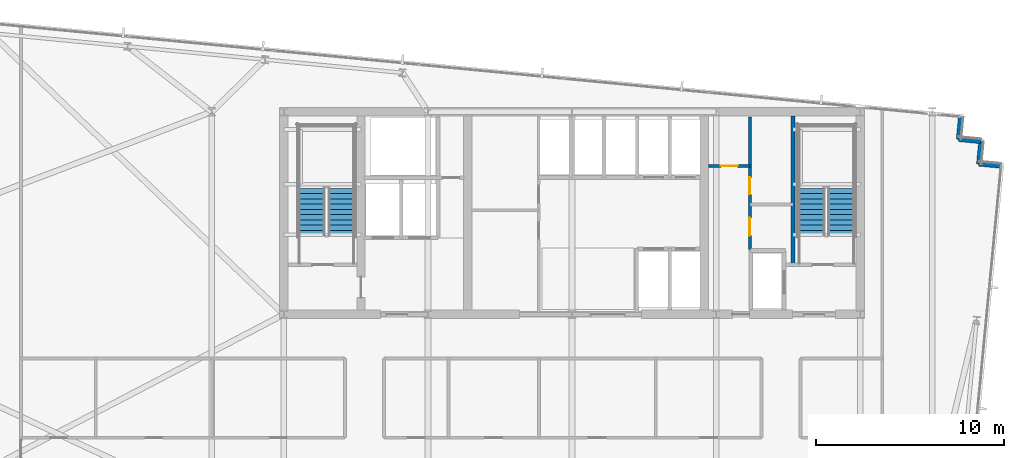
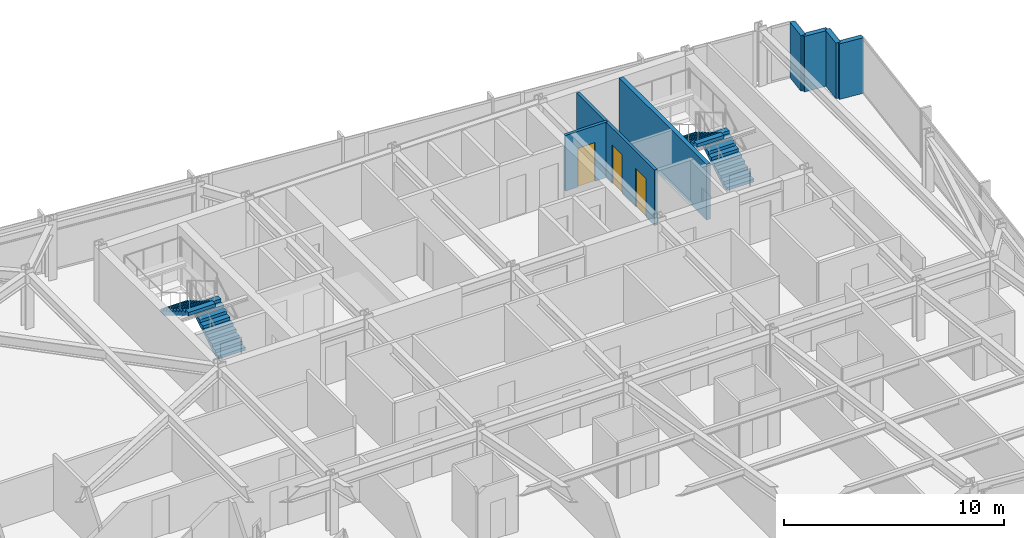
# One storey, part 32 of 38: 7 walls, 4 stair flights, 3 doors, 3 openings, 2 elements without a shape of their own.
"""IFC4 building model written with IfcOpenShell, lengths in metres."""

from ifc_helpers import new_model, si_unit, direction, frame, frame_2d, origin, place, context, subcontext, project, spatial, polyline, rectangle, outline, extrude, material, layer, layer_set, type_object, element, fill, aggregate, save


model = new_model("IFC4")

# Units and contexts
model_context = context("Model", 3, precision=1e-05, world=origin(), true_north=direction((0.0, 1.0)))
body_context = subcontext(model_context, "Body", "Model", "MODEL_VIEW")
ifc_project = project(units=[si_unit("LENGTHUNIT", "METRE"), si_unit("AREAUNIT", "SQUARE_METRE"), si_unit("VOLUMEUNIT", "CUBIC_METRE"), si_unit("PLANEANGLEUNIT", "RADIAN"), si_unit("MASSUNIT", "GRAM", prefix="KILO")], contexts=[model_context])

# Site, building, storey
site_placement = place(None, origin())
site = spatial("IfcSite", under=ifc_project, at=site_placement, CompositionType="ELEMENT")
building_placement = place(site_placement, origin())
building = spatial("IfcBuilding", under=site, at=building_placement, Name="Yelkora Congress Tower", CompositionType="ELEMENT")
storey_placement = place(building_placement, frame((0.0, 0.0, 172.10009765625)))
storey = spatial("IfcBuildingStorey", under=building, at=storey_placement, Name="L47", CompositionType="ELEMENT", Elevation=172.10009765625)

# Walls
ifc_material_1 = material(Name="Concrete C50/60", Category="concrete")
ifc_layer_1 = layer(ifc_material_1, 0.219970703125)
ifc_layer_set_1 = layer_set([ifc_layer_1], Name="Concrete C50/60")
wall_type_1 = type_object("IfcWallType", Name="WALL-CORE-INT-220", PredefinedType="SHEAR", material=ifc_layer_set_1)
wall_1_placement = place(storey_placement, frame((50.179931640625, 38.050048828125, 0.0), z_axis=(0.0, 0.0, 1.0), x_axis=(0.0, 1.0, 0.0)))
element("IfcWall", 1, at=wall_1_placement, inside=storey, type_object=wall_type_1, Name="L47 ST02 West Stair Shear Wall", PredefinedType="SHEAR", context=body_context, shape_type="SweptSolid", body=[
    extrude(rectangle(XDim=7.925048828125, YDim=0.219970703125, at=frame_2d((3.96240234375, 0.0))), origin(), (0.0, 0.0, 1.0), 3.079833984375),
])
ifc_material_2 = material(Name="Concrete C40/50", Category="concrete")
ifc_layer_2 = layer(ifc_material_2, 0.239990234375)
ifc_layer_set_2 = layer_set([ifc_layer_2], Name="Concrete C40/50")
wall_type_2 = type_object("IfcWallType", Name="WALL-EXT-LIMESTONE-240", PredefinedType="SOLIDWALL", material=ifc_layer_set_2)
for number, where, z_axis, x_axis, name in (
    (2, (59.108642578125, 45.923095703125, 0.0), (0.0, 0.0, 1.0), (-0.095817067274, -0.995398960025, 0.0), "L47 Serrated Corner Limestone Pier 11"),
    (3, (58.99365234375, 44.728515625, 0.0), (0.0, 0.0, 1.0), (0.995398960025, -0.095817067274, 0.0), "L47 Serrated Corner Limestone Pier 12"),
    (4, (60.188232421875, 44.613525390625, 0.0), (0.0, 0.0, 1.0), (-0.096018626938, -0.995379537303, 0.0), "L47 Serrated Corner Limestone Pier 13"),
    (5, (60.072998046875, 43.4189453125, 0.0), (0.0, 0.0, 1.0), (0.995398960025, -0.095817067274, 0.0), "L47 Serrated Corner Limestone Pier 14"),
):
    element("IfcWall", number, at=place(storey_placement, frame(where, z_axis=z_axis, x_axis=x_axis)), inside=storey, type_object=wall_type_2, Name=name, PredefinedType="SOLIDWALL", context=body_context, shape_type="SweptSolid", body=[
        extrude(rectangle(XDim=1.2001953125, YDim=0.239990234375, at=frame_2d((0.60009765625, 0.0))), origin(), (0.0, 0.0, 1.0), 3.079833984375),
    ])

# Wall, opening, door
ifc_material_3 = material(Name="Acoustic metal-stud gypsum partition", Category="gypsum")
ifc_layer_3 = layer(ifc_material_3, 0.14990234375)
ifc_layer_set_3 = layer_set([ifc_layer_3], Name="Acoustic metal-stud gypsum partition")
wall_type_3 = type_object("IfcWallType", Name="WALL-INT-150-NR", PredefinedType="PARTITIONING", material=ifc_layer_set_3)
wall_2_placement = place(storey_placement, frame((45.679931640625, 43.31005859375, 0.0), z_axis=(0.0, 0.0, 1.0), x_axis=(1.0, 0.0, 0.0)))
wall_2 = element("IfcWall", 6, at=wall_2_placement, inside=storey, type_object=wall_type_3, Name="L47 Partition Wall 24", PredefinedType="PARTITIONING", context=body_context, shape_type="SweptSolid", body=[
    extrude(rectangle(XDim=2.199951171875, YDim=0.14990234375, at=frame_2d((1.10009765625, 0.0))), origin(), (0.0, 0.0, 1.0), 3.079833984375),
])
opening_1_placement = place(wall_2_placement, frame((0.64990234375, 0.0, 0.0)))
opening_1 = element("IfcOpeningElement", 7, at=opening_1_placement, cuts=wall_2, Name="Opening DR-090N", PredefinedType="OPENING", context=body_context, shape_type="SweptSolid", body=[
    extrude(rectangle(XDim=0.89990234375, YDim=2.14990234375, at=frame_2d((0.449951171875, 1.074951171875))), frame((0.0, 0.0849609375, 0.0), z_axis=(0.0, -1.0, 0.0), x_axis=(1.0, 0.0, 0.0)), (0.0, 0.0, 1.0), 0.169921875),
])
ifc_material_4 = material(Name="Moisture-resistant laminate door leaf", Category="wood")
door_type_1 = type_object("IfcDoorType", Name="DOOR-INT-900", OperationType="NOTDEFINED", PredefinedType="DOOR", material=ifc_material_4)
door_1_placement = place(opening_1_placement, origin())
door_1 = element("IfcDoor", 8, at=door_1_placement, inside=storey, type_object=door_type_1, Name="L47 Male WC Door", OperationType="SINGLE_SWING_RIGHT", OverallHeight=2.14990234375, OverallWidth=0.89990234375, PredefinedType="DOOR", context=body_context, shape_type="SweptSolid", body=[
    extrude(rectangle(XDim=0.89990234375, YDim=2.14990234375, at=frame_2d((0.449951171875, 1.074951171875))), frame((0.0, 0.02490234375, 0.0), z_axis=(0.0, -1.0, 0.0), x_axis=(1.0, 0.0, 0.0)), (0.0, 0.0, 1.0), 0.050048828125),
])
fill(opening_1, door_1)

# Wall, openings, doors
wall_3_placement = place(storey_placement, frame((47.8798828125, 38.85009765625, 0.0), z_axis=(0.0, 0.0, 1.0), x_axis=(0.0, 1.0, 0.0)))
wall_3 = element("IfcWall", 9, at=wall_3_placement, inside=storey, type_object=wall_type_3, Name="L47 Partition Wall 26", PredefinedType="PARTITIONING", context=body_context, shape_type="SweptSolid", body=[
    extrude(rectangle(XDim=7.06982421875, YDim=0.14990234375, at=frame_2d((3.534912109375, 0.0))), origin(), (0.0, 0.0, 1.0), 3.079833984375),
])
opening_2_placement = place(wall_3_placement, frame((0.75, 0.0, 0.0)))
opening_2 = element("IfcOpeningElement", 10, at=opening_2_placement, cuts=wall_3, Name="Opening DR-095N", PredefinedType="OPENING", context=body_context, shape_type="SweptSolid", body=[
    extrude(rectangle(XDim=0.949951171875, YDim=2.14990234375, at=frame_2d((0.47509765625, 1.074951171875))), frame((0.0, 0.0849609375, 0.0), z_axis=(0.0, -1.0, 0.0), x_axis=(1.0, 0.0, 0.0)), (0.0, 0.0, 1.0), 0.169921875),
])
opening_3_placement = place(wall_3_placement, frame((2.949951171875, 0.0, 0.0)))
opening_3 = element("IfcOpeningElement", 11, at=opening_3_placement, cuts=wall_3, Name="Opening DR-090N", PredefinedType="OPENING", context=body_context, shape_type="SweptSolid", body=[
    extrude(rectangle(XDim=0.89990234375, YDim=2.14990234375, at=frame_2d((0.449951171875, 1.074951171875))), frame((0.0, 0.0849609375, 0.0), z_axis=(0.0, -1.0, 0.0), x_axis=(1.0, 0.0, 0.0)), (0.0, 0.0, 1.0), 0.169921875),
])
door_2_placement = place(opening_3_placement, origin())
door_2 = element("IfcDoor", 12, at=door_2_placement, inside=storey, type_object=door_type_1, Name="L47 Female WC Door", OperationType="SINGLE_SWING_RIGHT", OverallHeight=2.14990234375, OverallWidth=0.89990234375, PredefinedType="DOOR", context=body_context, shape_type="SweptSolid", body=[
    extrude(rectangle(XDim=0.89990234375, YDim=2.14990234375, at=frame_2d((0.449951171875, 1.074951171875))), frame((0.0, 0.02490234375, 0.0), z_axis=(0.0, -1.0, 0.0), x_axis=(1.0, 0.0, 0.0)), (0.0, 0.0, 1.0), 0.050048828125),
])
fill(opening_3, door_2)
ifc_material_5 = material(Name="Acoustic laminated timber office door", Category="wood")
door_type_2 = type_object("IfcDoorType", Name="DOOR-INT-950", OperationType="NOTDEFINED", PredefinedType="DOOR", material=ifc_material_5)
door_3_placement = place(opening_2_placement, origin())
door_3 = element("IfcDoor", 13, at=door_3_placement, inside=storey, type_object=door_type_2, Name="L47 Accessible WC Door", OperationType="SINGLE_SWING_LEFT", OverallHeight=2.14990234375, OverallWidth=0.949951171875, PredefinedType="DOOR", context=body_context, shape_type="SweptSolid", body=[
    extrude(rectangle(XDim=0.949951171875, YDim=2.14990234375, at=frame_2d((0.47509765625, 1.074951171875))), frame((0.0, 0.02490234375, 0.0), z_axis=(0.0, -1.0, 0.0), x_axis=(1.0, 0.0, 0.0)), (0.0, 0.0, 1.0), 0.050048828125),
])
fill(opening_2, door_3)

# Stair, stair flights
stair_type = type_object("IfcStairType", Name="STAIR-HT-1420-R20-165", PredefinedType="HALF_TURN_STAIR", material=ifc_material_2)
stair_1_placement = place(storey_placement, origin())
stair_1 = element("IfcStair", 14, at=stair_1_placement, inside=storey, type_object=stair_type, Name="West Core Protected Exit Stair ST-01 (L47)", PredefinedType="HALF_TURN_STAIR")
stair_flight_type = type_object("IfcStairFlightType", Name="FLIGHT-1420-N10-R165-G280", PredefinedType="STRAIGHT", material=ifc_material_2)
stair_flight_1_placement = place(storey_placement, frame((26.110107421875, 39.60009765625, 0.0), z_axis=(0.0, 0.0, 1.0), x_axis=(0.0, 1.0, 0.0)))
stair_flight_1 = element("IfcStairFlight", 15, at=stair_flight_1_placement, type_object=stair_flight_type, Name="ST-01 L47 Flight 1", NumberOfRisers=10, NumberOfTreads=9, PredefinedType="STRAIGHT", RiserHeight=0.165, TreadLength=0.28, context=body_context, shape_type="SweptSolid", body=[
    extrude(outline(polyline([(0.0, 0.0), (0.0, 0.1650390625), (0.280029296875, 0.1650390625), (0.280029296875, 0.330078125), (0.56005859375, 0.330078125), (0.56005859375, 0.4951171875), (0.840087890625, 0.4951171875), (0.840087890625, 0.659912109375), (1.1201171875, 0.659912109375), (1.1201171875, 0.824951171875), (1.39990234375, 0.824951171875), (1.39990234375, 0.989990234375), (1.679931640625, 0.989990234375), (1.679931640625, 1.155029296875), (1.9599609375, 1.155029296875), (1.9599609375, 1.320068359375), (2.239990234375, 1.320068359375), (2.239990234375, 1.485107421875), (2.52001953125, 1.485107421875), (2.52001953125, 1.64990234375), (2.52001953125, 1.29931640625), (0.31494140625, 0.0), (0.0, 0.0)])), frame((0.0, 0.7099609375, 0.0), z_axis=(0.0, -1.0, 0.0), x_axis=(1.0, 0.0, 0.0)), (0.0, 0.0, 1.0), 1.419921875),
])
stair_flight_2_placement = place(storey_placement, frame((24.530029296875, 42.1201171875, 1.64990234375), z_axis=(0.0, 0.0, 1.0), x_axis=(0.0, -1.0, 0.0)))
stair_flight_2 = element("IfcStairFlight", 16, at=stair_flight_2_placement, type_object=stair_flight_type, Name="ST-01 L47 Flight 2", NumberOfRisers=10, NumberOfTreads=9, PredefinedType="STRAIGHT", RiserHeight=0.165, TreadLength=0.28, context=body_context, shape_type="SweptSolid", body=[
    extrude(outline(polyline([(0.0, 0.0), (0.0, 0.1650390625), (0.280029296875, 0.1650390625), (0.280029296875, 0.330078125), (0.56005859375, 0.330078125), (0.56005859375, 0.4951171875), (0.840087890625, 0.4951171875), (0.840087890625, 0.659912109375), (1.1201171875, 0.659912109375), (1.1201171875, 0.824951171875), (1.39990234375, 0.824951171875), (1.39990234375, 0.989990234375), (1.679931640625, 0.989990234375), (1.679931640625, 1.155029296875), (1.9599609375, 1.155029296875), (1.9599609375, 1.320068359375), (2.239990234375, 1.320068359375), (2.239990234375, 1.485107421875), (2.52001953125, 1.485107421875), (2.52001953125, 1.64990234375), (2.52001953125, 1.29931640625), (0.31494140625, 0.0), (0.0, 0.0)])), frame((0.0, 0.7099609375, 0.0), z_axis=(0.0, -1.0, 0.0), x_axis=(1.0, 0.0, 0.0)), (0.0, 0.0, 1.0), 1.419921875),
])
aggregate(stair_1, [stair_flight_1, stair_flight_2])

stair_2_placement = place(storey_placement, origin())
stair_2 = element("IfcStair", 17, at=stair_2_placement, inside=storey, type_object=stair_type, Name="East Core Protected Exit Stair ST-02 (L47)", PredefinedType="HALF_TURN_STAIR")
stair_flight_3_placement = place(storey_placement, frame((52.75, 39.60009765625, 0.0), z_axis=(0.0, 0.0, 1.0), x_axis=(0.0, 1.0, 0.0)))
stair_flight_3 = element("IfcStairFlight", 18, at=stair_flight_3_placement, type_object=stair_flight_type, Name="ST-02 L47 Flight 1", NumberOfRisers=10, NumberOfTreads=9, PredefinedType="STRAIGHT", RiserHeight=0.165, TreadLength=0.28, context=body_context, shape_type="SweptSolid", body=[
    extrude(outline(polyline([(0.0, 0.0), (0.0, 0.1650390625), (0.280029296875, 0.1650390625), (0.280029296875, 0.330078125), (0.56005859375, 0.330078125), (0.56005859375, 0.4951171875), (0.840087890625, 0.4951171875), (0.840087890625, 0.659912109375), (1.1201171875, 0.659912109375), (1.1201171875, 0.824951171875), (1.39990234375, 0.824951171875), (1.39990234375, 0.989990234375), (1.679931640625, 0.989990234375), (1.679931640625, 1.155029296875), (1.9599609375, 1.155029296875), (1.9599609375, 1.320068359375), (2.239990234375, 1.320068359375), (2.239990234375, 1.485107421875), (2.52001953125, 1.485107421875), (2.52001953125, 1.64990234375), (2.52001953125, 1.29931640625), (0.31494140625, 0.0), (0.0, 0.0)])), frame((0.0, 0.7099609375, 0.0), z_axis=(0.0, -1.0, 0.0), x_axis=(1.0, 0.0, 0.0)), (0.0, 0.0, 1.0), 1.419921875),
])
stair_flight_4_placement = place(storey_placement, frame((51.169921875, 42.1201171875, 1.64990234375), z_axis=(0.0, 0.0, 1.0), x_axis=(0.0, -1.0, 0.0)))
stair_flight_4 = element("IfcStairFlight", 19, at=stair_flight_4_placement, type_object=stair_flight_type, Name="ST-02 L47 Flight 2", NumberOfRisers=10, NumberOfTreads=9, PredefinedType="STRAIGHT", RiserHeight=0.165, TreadLength=0.28, context=body_context, shape_type="SweptSolid", body=[
    extrude(outline(polyline([(0.0, 0.0), (0.0, 0.1650390625), (0.280029296875, 0.1650390625), (0.280029296875, 0.330078125), (0.56005859375, 0.330078125), (0.56005859375, 0.4951171875), (0.840087890625, 0.4951171875), (0.840087890625, 0.659912109375), (1.1201171875, 0.659912109375), (1.1201171875, 0.824951171875), (1.39990234375, 0.824951171875), (1.39990234375, 0.989990234375), (1.679931640625, 0.989990234375), (1.679931640625, 1.155029296875), (1.9599609375, 1.155029296875), (1.9599609375, 1.320068359375), (2.239990234375, 1.320068359375), (2.239990234375, 1.485107421875), (2.52001953125, 1.485107421875), (2.52001953125, 1.64990234375), (2.52001953125, 1.29931640625), (0.31494140625, 0.0), (0.0, 0.0)])), frame((0.0, 0.7099609375, 0.0), z_axis=(0.0, -1.0, 0.0), x_axis=(1.0, 0.0, 0.0)), (0.0, 0.0, 1.0), 1.419921875),
])
aggregate(stair_2, [stair_flight_3, stair_flight_4])

save(model, "model.ifc")
